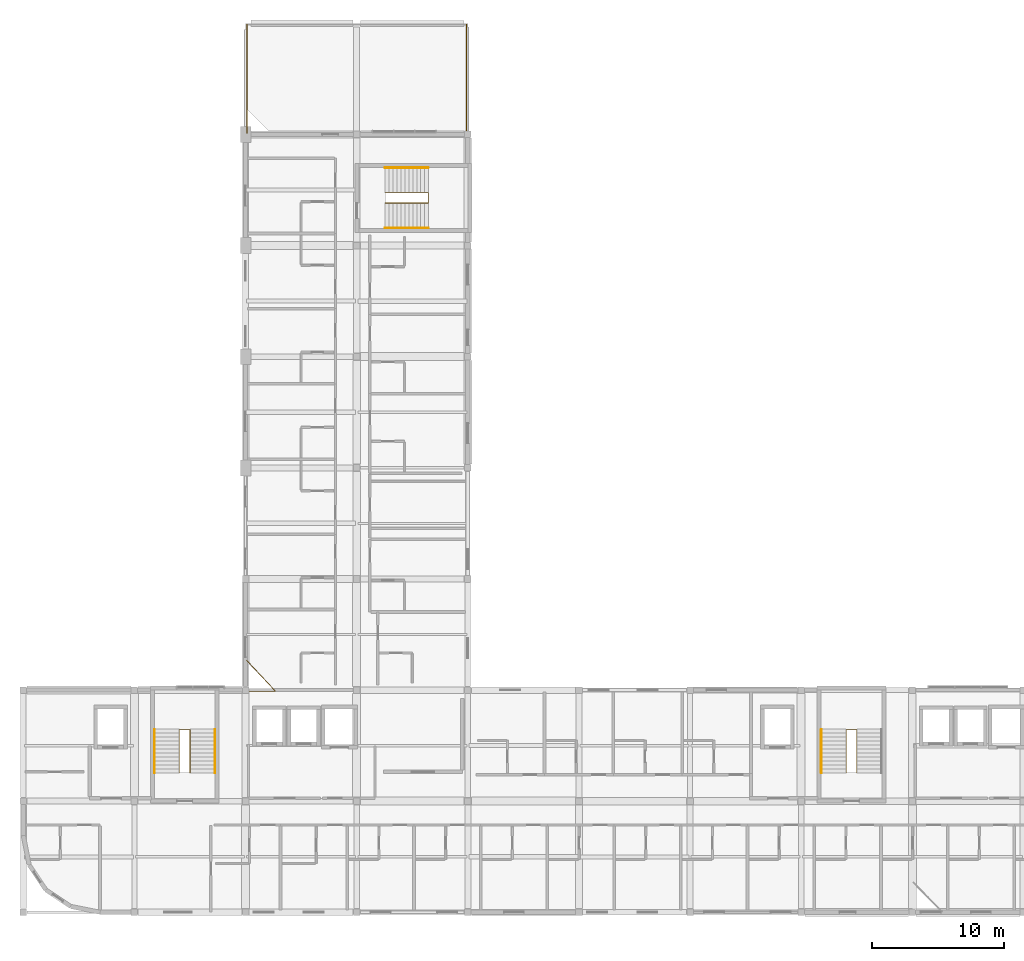
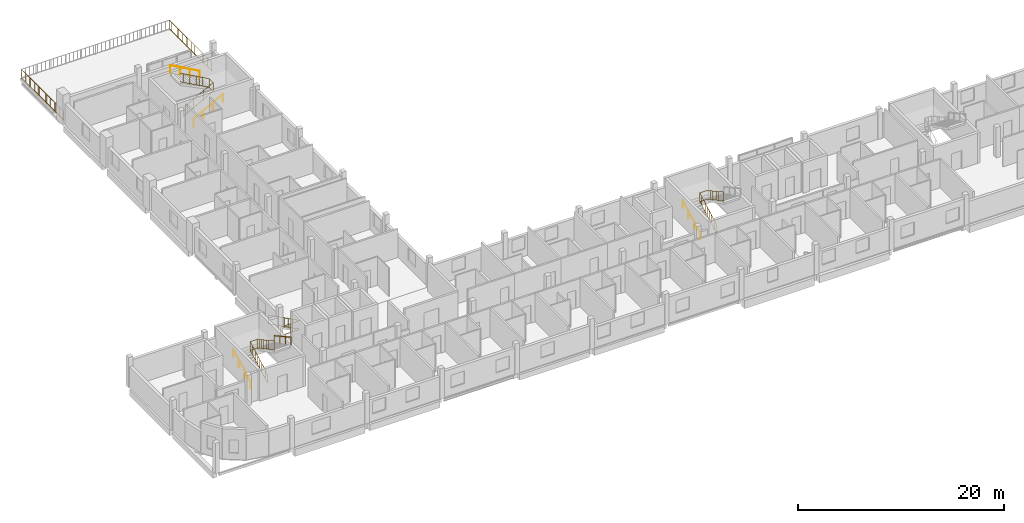
# One storey, part 18 of 20: 11 railings.
"""IFC4 building model written with IfcOpenShell, lengths in metres."""

from ifc_helpers import new_model, si_unit, derived_unit, direction, frame, origin, origin_2d, place, context, subcontext, project, spatial, circle, extrude, material, layer, layer_set, type_object, element, save


model = new_model("IFC4")

# Units and contexts
model_context = context("Model", 3, precision=1e-05, world=origin(), true_north=direction((0.0, 1.0)))
body_context = subcontext(model_context, "Body", "Model", "MODEL_VIEW")
ifc_project = project(units=[si_unit("LENGTHUNIT", "METRE"), si_unit("AREAUNIT", "SQUARE_METRE"), si_unit("VOLUMEUNIT", "CUBIC_METRE"), si_unit("PLANEANGLEUNIT", "RADIAN"), si_unit("MASSUNIT", "GRAM", prefix="KILO"), derived_unit("THERMALTRANSMITTANCEUNIT", [(si_unit("POWERUNIT", "WATT"), 1), (si_unit("LENGTHUNIT", "METRE"), -2), (si_unit("THERMODYNAMICTEMPERATUREUNIT", "KELVIN"), -1)])], contexts=[model_context])

# Site, building, storey
site_placement = place(None, origin())
site = spatial("IfcSite", under=ifc_project, at=site_placement, CompositionType="ELEMENT")
building_placement = place(site_placement, origin())
building = spatial("IfcBuilding", under=site, at=building_placement, Name="Barrovel Congress Hotel", CompositionType="ELEMENT")
storey_placement = place(building_placement, frame((0.0, 0.0, 39.89990234375)))
storey = spatial("IfcBuildingStorey", under=building, at=storey_placement, Name="L10", CompositionType="ELEMENT", Elevation=39.89990234375)

# Railings
ifc_material_1 = material(Name="Painted Architectural Steel", Category="steel")
ifc_layer_1 = layer(ifc_material_1, 0.080078125)
ifc_layer_set_1 = layer_set([ifc_layer_1], Name="Painted Architectural Steel")
railing_type_1 = type_object("IfcRailingType", Name="RAIL-GUARD-EXT", PredefinedType="BALUSTRADE", material=ifc_layer_set_1)
railing_1_placement = place(storey_placement, frame((50.300048828125, 63.10009765625, 0.0)))
element("IfcRailing", 1, at=railing_1_placement, inside=storey, type_object=railing_type_1, Name="L10 North Terrace Guardrail 1", PredefinedType="BALUSTRADE", context=body_context, shape_type="SweptSolid", body=[
    extrude(circle(Radius=0.02392578125, at=origin_2d()), frame((0.0, 0.0, 1.11572265625), z_axis=(0.0, 1.0, 0.0), x_axis=(-1.0, 0.0, 0.0)), (0.0, 0.0, 1.0), 8.199951171875),
    extrude(circle(Radius=0.02392578125, at=origin_2d()), frame((0.0, 0.0, 0.10009765625), z_axis=(0.0, 1.0, 0.0), x_axis=(-1.0, 0.0, 0.0)), (0.0, 0.0, 1.0), 8.199951171875),
    extrude(circle(Radius=0.010009765625, at=origin_2d()), frame((0.0, 0.431640625, 0.10009765625)), (0.0, 0.0, 1.0), 0.99169921875),
    extrude(circle(Radius=0.010009765625, at=origin_2d()), frame((0.0, 0.863037109375, 0.10009765625)), (0.0, 0.0, 1.0), 0.99169921875),
    extrude(circle(Radius=0.010009765625, at=origin_2d()), frame((0.0, 1.294677734375, 0.10009765625)), (0.0, 0.0, 1.0), 0.99169921875),
    extrude(circle(Radius=0.010009765625, at=origin_2d()), frame((0.0, 1.726318359375, 0.10009765625)), (0.0, 0.0, 1.0), 0.99169921875),
    extrude(circle(Radius=0.010009765625, at=origin_2d()), frame((0.0, 2.157958984375, 0.10009765625)), (0.0, 0.0, 1.0), 0.99169921875),
    extrude(circle(Radius=0.010009765625, at=origin_2d()), frame((0.0, 2.58935546875, 0.10009765625)), (0.0, 0.0, 1.0), 0.99169921875),
    extrude(circle(Radius=0.010009765625, at=origin_2d()), frame((0.0, 3.02099609375, 0.10009765625)), (0.0, 0.0, 1.0), 0.99169921875),
    extrude(circle(Radius=0.010009765625, at=origin_2d()), frame((0.0, 3.45263671875, 0.10009765625)), (0.0, 0.0, 1.0), 0.99169921875),
    extrude(circle(Radius=0.010009765625, at=origin_2d()), frame((0.0, 3.88427734375, 0.10009765625)), (0.0, 0.0, 1.0), 0.99169921875),
    extrude(circle(Radius=0.010009765625, at=origin_2d()), frame((0.0, 4.315673828125, 0.10009765625)), (0.0, 0.0, 1.0), 0.99169921875),
    extrude(circle(Radius=0.010009765625, at=origin_2d()), frame((0.0, 4.747314453125, 0.10009765625)), (0.0, 0.0, 1.0), 0.99169921875),
    extrude(circle(Radius=0.010009765625, at=origin_2d()), frame((0.0, 5.178955078125, 0.10009765625)), (0.0, 0.0, 1.0), 0.99169921875),
    extrude(circle(Radius=0.010009765625, at=origin_2d()), frame((0.0, 5.610595703125, 0.10009765625)), (0.0, 0.0, 1.0), 0.99169921875),
    extrude(circle(Radius=0.010009765625, at=origin_2d()), frame((0.0, 6.0419921875, 0.10009765625)), (0.0, 0.0, 1.0), 0.99169921875),
    extrude(circle(Radius=0.010009765625, at=origin_2d()), frame((0.0, 6.4736328125, 0.10009765625)), (0.0, 0.0, 1.0), 0.99169921875),
    extrude(circle(Radius=0.010009765625, at=origin_2d()), frame((0.0, 6.9052734375, 0.10009765625)), (0.0, 0.0, 1.0), 0.99169921875),
    extrude(circle(Radius=0.010009765625, at=origin_2d()), frame((0.0, 7.3369140625, 0.10009765625)), (0.0, 0.0, 1.0), 0.99169921875),
    extrude(circle(Radius=0.010009765625, at=origin_2d()), frame((0.0, 7.768310546875, 0.10009765625)), (0.0, 0.0, 1.0), 0.99169921875),
    extrude(circle(Radius=0.02099609375, at=origin_2d()), origin(), (0.0, 0.0, 1.0), 1.091796875),
    extrude(circle(Radius=0.02099609375, at=origin_2d()), frame((0.0, 1.639892578125, 0.0)), (0.0, 0.0, 1.0), 1.091796875),
    extrude(circle(Radius=0.02099609375, at=origin_2d()), frame((0.0, 3.280029296875, 0.0)), (0.0, 0.0, 1.0), 1.091796875),
    extrude(circle(Radius=0.02099609375, at=origin_2d()), frame((0.0, 4.919921875, 0.0)), (0.0, 0.0, 1.0), 1.091796875),
    extrude(circle(Radius=0.02099609375, at=origin_2d()), frame((0.0, 6.56005859375, 0.0)), (0.0, 0.0, 1.0), 1.091796875),
    extrude(circle(Radius=0.02099609375, at=origin_2d()), frame((0.0, 8.199951171875, 0.0)), (0.0, 0.0, 1.0), 1.091796875),
])
railing_2_placement = place(storey_placement, frame((33.699951171875, 71.300048828125, 0.0)))
element("IfcRailing", 2, at=railing_2_placement, inside=storey, type_object=railing_type_1, Name="L10 North Terrace Guardrail 3", PredefinedType="BALUSTRADE", context=body_context, shape_type="SweptSolid", body=[
    extrude(circle(Radius=0.02392578125, at=origin_2d()), frame((0.0, 0.0, 1.11572265625), z_axis=(0.0, -1.0, 0.0), x_axis=(1.0, 0.0, 0.0)), (0.0, 0.0, 1.0), 8.199951171875),
    extrude(circle(Radius=0.02392578125, at=origin_2d()), frame((0.0, 0.0, 0.10009765625), z_axis=(0.0, -1.0, 0.0), x_axis=(1.0, 0.0, 0.0)), (0.0, 0.0, 1.0), 8.199951171875),
    extrude(circle(Radius=0.010009765625, at=origin_2d()), frame((0.0, -0.431640625, 0.10009765625)), (0.0, 0.0, 1.0), 0.99169921875),
    extrude(circle(Radius=0.010009765625, at=origin_2d()), frame((0.0, -0.863037109375, 0.10009765625)), (0.0, 0.0, 1.0), 0.99169921875),
    extrude(circle(Radius=0.010009765625, at=origin_2d()), frame((0.0, -1.294677734375, 0.10009765625)), (0.0, 0.0, 1.0), 0.99169921875),
    extrude(circle(Radius=0.010009765625, at=origin_2d()), frame((0.0, -1.726318359375, 0.10009765625)), (0.0, 0.0, 1.0), 0.99169921875),
    extrude(circle(Radius=0.010009765625, at=origin_2d()), frame((0.0, -2.157958984375, 0.10009765625)), (0.0, 0.0, 1.0), 0.99169921875),
    extrude(circle(Radius=0.010009765625, at=origin_2d()), frame((0.0, -2.58935546875, 0.10009765625)), (0.0, 0.0, 1.0), 0.99169921875),
    extrude(circle(Radius=0.010009765625, at=origin_2d()), frame((0.0, -3.02099609375, 0.10009765625)), (0.0, 0.0, 1.0), 0.99169921875),
    extrude(circle(Radius=0.010009765625, at=origin_2d()), frame((0.0, -3.45263671875, 0.10009765625)), (0.0, 0.0, 1.0), 0.99169921875),
    extrude(circle(Radius=0.010009765625, at=origin_2d()), frame((0.0, -3.88427734375, 0.10009765625)), (0.0, 0.0, 1.0), 0.99169921875),
    extrude(circle(Radius=0.010009765625, at=origin_2d()), frame((0.0, -4.315673828125, 0.10009765625)), (0.0, 0.0, 1.0), 0.99169921875),
    extrude(circle(Radius=0.010009765625, at=origin_2d()), frame((0.0, -4.747314453125, 0.10009765625)), (0.0, 0.0, 1.0), 0.99169921875),
    extrude(circle(Radius=0.010009765625, at=origin_2d()), frame((0.0, -5.178955078125, 0.10009765625)), (0.0, 0.0, 1.0), 0.99169921875),
    extrude(circle(Radius=0.010009765625, at=origin_2d()), frame((0.0, -5.610595703125, 0.10009765625)), (0.0, 0.0, 1.0), 0.99169921875),
    extrude(circle(Radius=0.010009765625, at=origin_2d()), frame((0.0, -6.0419921875, 0.10009765625)), (0.0, 0.0, 1.0), 0.99169921875),
    extrude(circle(Radius=0.010009765625, at=origin_2d()), frame((0.0, -6.4736328125, 0.10009765625)), (0.0, 0.0, 1.0), 0.99169921875),
    extrude(circle(Radius=0.010009765625, at=origin_2d()), frame((0.0, -6.9052734375, 0.10009765625)), (0.0, 0.0, 1.0), 0.99169921875),
    extrude(circle(Radius=0.010009765625, at=origin_2d()), frame((0.0, -7.3369140625, 0.10009765625)), (0.0, 0.0, 1.0), 0.99169921875),
    extrude(circle(Radius=0.010009765625, at=origin_2d()), frame((0.0, -7.768310546875, 0.10009765625)), (0.0, 0.0, 1.0), 0.99169921875),
    extrude(circle(Radius=0.02099609375, at=origin_2d()), origin(), (0.0, 0.0, 1.0), 1.091796875),
    extrude(circle(Radius=0.02099609375, at=origin_2d()), frame((0.0, -1.639892578125, 0.0)), (0.0, 0.0, 1.0), 1.091796875),
    extrude(circle(Radius=0.02099609375, at=origin_2d()), frame((0.0, -3.280029296875, 0.0)), (0.0, 0.0, 1.0), 1.091796875),
    extrude(circle(Radius=0.02099609375, at=origin_2d()), frame((0.0, -4.919921875, 0.0)), (0.0, 0.0, 1.0), 1.091796875),
    extrude(circle(Radius=0.02099609375, at=origin_2d()), frame((0.0, -6.56005859375, 0.0)), (0.0, 0.0, 1.0), 1.091796875),
    extrude(circle(Radius=0.02099609375, at=origin_2d()), frame((0.0, -8.199951171875, 0.0)), (0.0, 0.0, 1.0), 1.091796875),
])
ifc_layer_2 = layer(ifc_material_1, 0.070068359375)
ifc_layer_set_2 = layer_set([ifc_layer_2], Name="Painted Architectural Steel")
railing_type_2 = type_object("IfcRailingType", Name="RAIL-GUARD-INT", PredefinedType="BALUSTRADE", material=ifc_layer_set_2)
railing_3_placement = place(storey_placement, frame((28.60009765625, 14.739990234375, 0.0)))
element("IfcRailing", 3, at=railing_3_placement, inside=storey, type_object=railing_type_2, Name="STAIR:XS-01:L10:GR-W", PredefinedType="BALUSTRADE", context=body_context, shape_type="SweptSolid", body=[
    extrude(circle(Radius=0.02392578125, at=origin_2d()), frame((0.0, 0.0, 1.11572265625), z_axis=(0.0, 0.876041855244, 0.482235075311), x_axis=(-1.0, 0.0, 0.0)), (0.0, 0.0, 1.0), 3.732666015625),
    extrude(circle(Radius=0.02392578125, at=origin_2d()), frame((0.0, 0.0, 0.10009765625), z_axis=(0.0, 0.876041855244, 0.482235075311), x_axis=(-1.0, 0.0, 0.0)), (0.0, 0.0, 1.0), 3.732666015625),
    extrude(circle(Radius=0.010009765625, at=origin_2d()), frame((0.0, 0.36328125, 0.300048828125)), (0.0, 0.0, 1.0), 0.99169921875),
    extrude(circle(Radius=0.010009765625, at=origin_2d()), frame((0.0, 0.7265625, 0.5)), (0.0, 0.0, 1.0), 0.99169921875),
    extrude(circle(Radius=0.010009765625, at=origin_2d()), frame((0.0, 1.090087890625, 0.699951171875)), (0.0, 0.0, 1.0), 0.99169921875),
    extrude(circle(Radius=0.010009765625, at=origin_2d()), frame((0.0, 1.453369140625, 0.89990234375)), (0.0, 0.0, 1.0), 0.99169921875),
    extrude(circle(Radius=0.010009765625, at=origin_2d()), frame((0.0, 1.816650390625, 1.10009765625)), (0.0, 0.0, 1.0), 0.99169921875),
    extrude(circle(Radius=0.010009765625, at=origin_2d()), frame((0.0, 2.179931640625, 1.300048828125)), (0.0, 0.0, 1.0), 0.99169921875),
    extrude(circle(Radius=0.010009765625, at=origin_2d()), frame((0.0, 2.54345703125, 1.5)), (0.0, 0.0, 1.0), 0.99169921875),
    extrude(circle(Radius=0.010009765625, at=origin_2d()), frame((0.0, 2.90673828125, 1.699951171875)), (0.0, 0.0, 1.0), 0.99169921875),
    extrude(circle(Radius=0.02392578125, at=origin_2d()), frame((0.0, 3.27001953125, 2.916015625), z_axis=(1.0, 0.0, 0.0), x_axis=(0.0, 1.0, 0.0)), (0.0, 0.0, 1.0), 0.7998046875),
    extrude(circle(Radius=0.02392578125, at=origin_2d()), frame((0.0, 3.27001953125, 1.900146484375), z_axis=(1.0, 0.0, 0.0), x_axis=(0.0, 1.0, 0.0)), (0.0, 0.0, 1.0), 0.7998046875),
    extrude(circle(Radius=0.010009765625, at=origin_2d()), frame((0.39990234375, 3.27001953125, 1.900146484375)), (0.0, 0.0, 1.0), 0.99169921875),
    extrude(circle(Radius=0.02392578125, at=origin_2d()), frame((0.7998046875, 3.27001953125, 2.916015625), z_axis=(0.0, -0.876041855244, 0.482235075311), x_axis=(1.0, 0.0, 0.0)), (0.0, 0.0, 1.0), 3.732666015625),
    extrude(circle(Radius=0.02392578125, at=origin_2d()), frame((0.7998046875, 3.27001953125, 1.900146484375), z_axis=(0.0, -0.876041855244, 0.482235075311), x_axis=(1.0, 0.0, 0.0)), (0.0, 0.0, 1.0), 3.732666015625),
    extrude(circle(Radius=0.010009765625, at=origin_2d()), frame((0.7998046875, 2.90673828125, 2.10009765625)), (0.0, 0.0, 1.0), 0.99169921875),
    extrude(circle(Radius=0.010009765625, at=origin_2d()), frame((0.7998046875, 2.54345703125, 2.300048828125)), (0.0, 0.0, 1.0), 0.99169921875),
    extrude(circle(Radius=0.010009765625, at=origin_2d()), frame((0.7998046875, 2.179931640625, 2.5)), (0.0, 0.0, 1.0), 0.99169921875),
    extrude(circle(Radius=0.010009765625, at=origin_2d()), frame((0.7998046875, 1.816650390625, 2.699951171875)), (0.0, 0.0, 1.0), 0.99169921875),
    extrude(circle(Radius=0.010009765625, at=origin_2d()), frame((0.7998046875, 1.453369140625, 2.900146484375)), (0.0, 0.0, 1.0), 0.99169921875),
    extrude(circle(Radius=0.010009765625, at=origin_2d()), frame((0.7998046875, 1.090087890625, 3.10009765625)), (0.0, 0.0, 1.0), 0.99169921875),
    extrude(circle(Radius=0.010009765625, at=origin_2d()), frame((0.7998046875, 0.7265625, 3.300048828125)), (0.0, 0.0, 1.0), 0.99169921875),
    extrude(circle(Radius=0.010009765625, at=origin_2d()), frame((0.7998046875, 0.36328125, 3.5)), (0.0, 0.0, 1.0), 0.99169921875),
    extrude(circle(Radius=0.02099609375, at=origin_2d()), origin(), (0.0, 0.0, 1.0), 1.091796875),
    extrude(circle(Radius=0.02099609375, at=origin_2d()), frame((0.0, 1.090087890625, 0.60009765625)), (0.0, 0.0, 1.0), 1.091796875),
    extrude(circle(Radius=0.02099609375, at=origin_2d()), frame((0.0, 2.179931640625, 1.199951171875)), (0.0, 0.0, 1.0), 1.091796875),
    extrude(circle(Radius=0.02099609375, at=origin_2d()), frame((0.0, 3.27001953125, 1.800048828125)), (0.0, 0.0, 1.0), 1.091796875),
    extrude(circle(Radius=0.02099609375, at=origin_2d()), frame((0.7998046875, 3.27001953125, 1.800048828125)), (0.0, 0.0, 1.0), 1.091796875),
    extrude(circle(Radius=0.02099609375, at=origin_2d()), frame((0.7998046875, 2.179931640625, 2.400146484375)), (0.0, 0.0, 1.0), 1.091796875),
    extrude(circle(Radius=0.02099609375, at=origin_2d()), frame((0.7998046875, 1.090087890625, 3.0)), (0.0, 0.0, 1.0), 1.091796875),
    extrude(circle(Radius=0.02099609375, at=origin_2d()), frame((0.7998046875, 0.0, 3.60009765625)), (0.0, 0.0, 1.0), 1.091796875),
])
railing_4_placement = place(storey_placement, frame((79.0, 14.739990234375, 0.0)))
element("IfcRailing", 4, at=railing_4_placement, inside=storey, type_object=railing_type_2, Name="STAIR:XS-02:L10:GR-W", PredefinedType="BALUSTRADE", context=body_context, shape_type="SweptSolid", body=[
    extrude(circle(Radius=0.02392578125, at=origin_2d()), frame((0.0, 0.0, 1.11572265625), z_axis=(0.0, 0.876041855244, 0.482235075311), x_axis=(-1.0, 0.0, 0.0)), (0.0, 0.0, 1.0), 3.732666015625),
    extrude(circle(Radius=0.02392578125, at=origin_2d()), frame((0.0, 0.0, 0.10009765625), z_axis=(0.0, 0.876041855244, 0.482235075311), x_axis=(-1.0, 0.0, 0.0)), (0.0, 0.0, 1.0), 3.732666015625),
    extrude(circle(Radius=0.010009765625, at=origin_2d()), frame((0.0, 0.36328125, 0.300048828125)), (0.0, 0.0, 1.0), 0.99169921875),
    extrude(circle(Radius=0.010009765625, at=origin_2d()), frame((0.0, 0.7265625, 0.5)), (0.0, 0.0, 1.0), 0.99169921875),
    extrude(circle(Radius=0.010009765625, at=origin_2d()), frame((0.0, 1.090087890625, 0.699951171875)), (0.0, 0.0, 1.0), 0.99169921875),
    extrude(circle(Radius=0.010009765625, at=origin_2d()), frame((0.0, 1.453369140625, 0.89990234375)), (0.0, 0.0, 1.0), 0.99169921875),
    extrude(circle(Radius=0.010009765625, at=origin_2d()), frame((0.0, 1.816650390625, 1.10009765625)), (0.0, 0.0, 1.0), 0.99169921875),
    extrude(circle(Radius=0.010009765625, at=origin_2d()), frame((0.0, 2.179931640625, 1.300048828125)), (0.0, 0.0, 1.0), 0.99169921875),
    extrude(circle(Radius=0.010009765625, at=origin_2d()), frame((0.0, 2.54345703125, 1.5)), (0.0, 0.0, 1.0), 0.99169921875),
    extrude(circle(Radius=0.010009765625, at=origin_2d()), frame((0.0, 2.90673828125, 1.699951171875)), (0.0, 0.0, 1.0), 0.99169921875),
    extrude(circle(Radius=0.02392578125, at=origin_2d()), frame((0.0, 3.27001953125, 2.916015625), z_axis=(1.0, 0.0, 0.0), x_axis=(0.0, 1.0, 0.0)), (0.0, 0.0, 1.0), 0.800048828125),
    extrude(circle(Radius=0.02392578125, at=origin_2d()), frame((0.0, 3.27001953125, 1.900146484375), z_axis=(1.0, 0.0, 0.0), x_axis=(0.0, 1.0, 0.0)), (0.0, 0.0, 1.0), 0.800048828125),
    extrude(circle(Radius=0.010009765625, at=origin_2d()), frame((0.39990234375, 3.27001953125, 1.900146484375)), (0.0, 0.0, 1.0), 0.99169921875),
    extrude(circle(Radius=0.02392578125, at=origin_2d()), frame((0.800048828125, 3.27001953125, 2.916015625), z_axis=(0.0, -0.876041855244, 0.482235075311), x_axis=(1.0, 0.0, 0.0)), (0.0, 0.0, 1.0), 3.732666015625),
    extrude(circle(Radius=0.02392578125, at=origin_2d()), frame((0.800048828125, 3.27001953125, 1.900146484375), z_axis=(0.0, -0.876041855244, 0.482235075311), x_axis=(1.0, 0.0, 0.0)), (0.0, 0.0, 1.0), 3.732666015625),
    extrude(circle(Radius=0.010009765625, at=origin_2d()), frame((0.800048828125, 2.90673828125, 2.10009765625)), (0.0, 0.0, 1.0), 0.99169921875),
    extrude(circle(Radius=0.010009765625, at=origin_2d()), frame((0.800048828125, 2.54345703125, 2.300048828125)), (0.0, 0.0, 1.0), 0.99169921875),
    extrude(circle(Radius=0.010009765625, at=origin_2d()), frame((0.800048828125, 2.179931640625, 2.5)), (0.0, 0.0, 1.0), 0.99169921875),
    extrude(circle(Radius=0.010009765625, at=origin_2d()), frame((0.800048828125, 1.816650390625, 2.699951171875)), (0.0, 0.0, 1.0), 0.99169921875),
    extrude(circle(Radius=0.010009765625, at=origin_2d()), frame((0.800048828125, 1.453369140625, 2.900146484375)), (0.0, 0.0, 1.0), 0.99169921875),
    extrude(circle(Radius=0.010009765625, at=origin_2d()), frame((0.800048828125, 1.090087890625, 3.10009765625)), (0.0, 0.0, 1.0), 0.99169921875),
    extrude(circle(Radius=0.010009765625, at=origin_2d()), frame((0.800048828125, 0.7265625, 3.300048828125)), (0.0, 0.0, 1.0), 0.99169921875),
    extrude(circle(Radius=0.010009765625, at=origin_2d()), frame((0.800048828125, 0.36328125, 3.5)), (0.0, 0.0, 1.0), 0.99169921875),
    extrude(circle(Radius=0.02099609375, at=origin_2d()), origin(), (0.0, 0.0, 1.0), 1.091796875),
    extrude(circle(Radius=0.02099609375, at=origin_2d()), frame((0.0, 1.090087890625, 0.60009765625)), (0.0, 0.0, 1.0), 1.091796875),
    extrude(circle(Radius=0.02099609375, at=origin_2d()), frame((0.0, 2.179931640625, 1.199951171875)), (0.0, 0.0, 1.0), 1.091796875),
    extrude(circle(Radius=0.02099609375, at=origin_2d()), frame((0.0, 3.27001953125, 1.800048828125)), (0.0, 0.0, 1.0), 1.091796875),
    extrude(circle(Radius=0.02099609375, at=origin_2d()), frame((0.800048828125, 3.27001953125, 1.800048828125)), (0.0, 0.0, 1.0), 1.091796875),
    extrude(circle(Radius=0.02099609375, at=origin_2d()), frame((0.800048828125, 2.179931640625, 2.400146484375)), (0.0, 0.0, 1.0), 1.091796875),
    extrude(circle(Radius=0.02099609375, at=origin_2d()), frame((0.800048828125, 1.090087890625, 3.0)), (0.0, 0.0, 1.0), 1.091796875),
    extrude(circle(Radius=0.02099609375, at=origin_2d()), frame((0.800048828125, 0.0, 3.60009765625)), (0.0, 0.0, 1.0), 1.091796875),
])
railing_5_placement = place(storey_placement, frame((44.139892578125, 57.820068359375, 0.0)))
element("IfcRailing", 5, at=railing_5_placement, inside=storey, type_object=railing_type_2, Name="STAIR:XS-05:L10:GR-W", PredefinedType="BALUSTRADE", context=body_context, shape_type="SweptSolid", body=[
    extrude(circle(Radius=0.02392578125, at=origin_2d()), frame((0.0, 0.0, 1.11572265625), z_axis=(0.876041855244, 0.0, 0.482235075311), x_axis=(0.0, 1.0, 0.0)), (0.0, 0.0, 1.0), 3.732666015625),
    extrude(circle(Radius=0.02392578125, at=origin_2d()), frame((0.0, 0.0, 0.10009765625), z_axis=(0.876041855244, 0.0, 0.482235075311), x_axis=(0.0, 1.0, 0.0)), (0.0, 0.0, 1.0), 3.732666015625),
    extrude(circle(Radius=0.010009765625, at=origin_2d()), frame((0.36328125, 0.0, 0.300048828125)), (0.0, 0.0, 1.0), 0.99169921875),
    extrude(circle(Radius=0.010009765625, at=origin_2d()), frame((0.7265625, 0.0, 0.5)), (0.0, 0.0, 1.0), 0.99169921875),
    extrude(circle(Radius=0.010009765625, at=origin_2d()), frame((1.090087890625, 0.0, 0.699951171875)), (0.0, 0.0, 1.0), 0.99169921875),
    extrude(circle(Radius=0.010009765625, at=origin_2d()), frame((1.453369140625, 0.0, 0.89990234375)), (0.0, 0.0, 1.0), 0.99169921875),
    extrude(circle(Radius=0.010009765625, at=origin_2d()), frame((1.816650390625, 0.0, 1.10009765625)), (0.0, 0.0, 1.0), 0.99169921875),
    extrude(circle(Radius=0.010009765625, at=origin_2d()), frame((2.179931640625, 0.0, 1.300048828125)), (0.0, 0.0, 1.0), 0.99169921875),
    extrude(circle(Radius=0.010009765625, at=origin_2d()), frame((2.54345703125, 0.0, 1.5)), (0.0, 0.0, 1.0), 0.99169921875),
    extrude(circle(Radius=0.010009765625, at=origin_2d()), frame((2.90673828125, 0.0, 1.699951171875)), (0.0, 0.0, 1.0), 0.99169921875),
    extrude(circle(Radius=0.02392578125, at=origin_2d()), frame((3.27001953125, 0.0, 2.916015625), z_axis=(0.0, 1.0, 0.0), x_axis=(-1.0, 0.0, 0.0)), (0.0, 0.0, 1.0), 0.760009765625),
    extrude(circle(Radius=0.02392578125, at=origin_2d()), frame((3.27001953125, 0.0, 1.900146484375), z_axis=(0.0, 1.0, 0.0), x_axis=(-1.0, 0.0, 0.0)), (0.0, 0.0, 1.0), 0.760009765625),
    extrude(circle(Radius=0.010009765625, at=origin_2d()), frame((3.27001953125, 0.3798828125, 1.900146484375)), (0.0, 0.0, 1.0), 0.99169921875),
    extrude(circle(Radius=0.02392578125, at=origin_2d()), frame((3.27001953125, 0.760009765625, 2.916015625), z_axis=(-0.876041855244, 0.0, 0.482235075311), x_axis=(0.0, -1.0, 0.0)), (0.0, 0.0, 1.0), 3.732666015625),
    extrude(circle(Radius=0.02392578125, at=origin_2d()), frame((3.27001953125, 0.760009765625, 1.900146484375), z_axis=(-0.876041855244, 0.0, 0.482235075311), x_axis=(0.0, -1.0, 0.0)), (0.0, 0.0, 1.0), 3.732666015625),
    extrude(circle(Radius=0.010009765625, at=origin_2d()), frame((2.90673828125, 0.760009765625, 2.10009765625)), (0.0, 0.0, 1.0), 0.99169921875),
    extrude(circle(Radius=0.010009765625, at=origin_2d()), frame((2.54345703125, 0.760009765625, 2.300048828125)), (0.0, 0.0, 1.0), 0.99169921875),
    extrude(circle(Radius=0.010009765625, at=origin_2d()), frame((2.179931640625, 0.760009765625, 2.5)), (0.0, 0.0, 1.0), 0.99169921875),
    extrude(circle(Radius=0.010009765625, at=origin_2d()), frame((1.816650390625, 0.760009765625, 2.699951171875)), (0.0, 0.0, 1.0), 0.99169921875),
    extrude(circle(Radius=0.010009765625, at=origin_2d()), frame((1.453369140625, 0.760009765625, 2.900146484375)), (0.0, 0.0, 1.0), 0.99169921875),
    extrude(circle(Radius=0.010009765625, at=origin_2d()), frame((1.090087890625, 0.760009765625, 3.10009765625)), (0.0, 0.0, 1.0), 0.99169921875),
    extrude(circle(Radius=0.010009765625, at=origin_2d()), frame((0.7265625, 0.760009765625, 3.300048828125)), (0.0, 0.0, 1.0), 0.99169921875),
    extrude(circle(Radius=0.010009765625, at=origin_2d()), frame((0.36328125, 0.760009765625, 3.5)), (0.0, 0.0, 1.0), 0.99169921875),
    extrude(circle(Radius=0.02099609375, at=origin_2d()), origin(), (0.0, 0.0, 1.0), 1.091796875),
    extrude(circle(Radius=0.02099609375, at=origin_2d()), frame((1.090087890625, 0.0, 0.60009765625)), (0.0, 0.0, 1.0), 1.091796875),
    extrude(circle(Radius=0.02099609375, at=origin_2d()), frame((2.179931640625, 0.0, 1.199951171875)), (0.0, 0.0, 1.0), 1.091796875),
    extrude(circle(Radius=0.02099609375, at=origin_2d()), frame((3.27001953125, 0.0, 1.800048828125)), (0.0, 0.0, 1.0), 1.091796875),
    extrude(circle(Radius=0.02099609375, at=origin_2d()), frame((3.27001953125, 0.760009765625, 1.800048828125)), (0.0, 0.0, 1.0), 1.091796875),
    extrude(circle(Radius=0.02099609375, at=origin_2d()), frame((2.179931640625, 0.760009765625, 2.400146484375)), (0.0, 0.0, 1.0), 1.091796875),
    extrude(circle(Radius=0.02099609375, at=origin_2d()), frame((1.090087890625, 0.760009765625, 3.0)), (0.0, 0.0, 1.0), 1.091796875),
    extrude(circle(Radius=0.02099609375, at=origin_2d()), frame((0.0, 0.760009765625, 3.60009765625)), (0.0, 0.0, 1.0), 1.091796875),
])
railing_6_placement = place(storey_placement, frame((33.679931640625, 20.919921875, 0.0)))
element("IfcRailing", 6, at=railing_6_placement, inside=storey, type_object=railing_type_2, Name="RAIL:L10:CG-HW1", PredefinedType="BALUSTRADE", context=body_context, shape_type="SweptSolid", body=[
    extrude(circle(Radius=0.02392578125, at=origin_2d()), frame((0.0, 0.0, 1.11572265625), z_axis=(1.0, 0.0, 0.0), x_axis=(0.0, 1.0, 0.0)), (0.0, 0.0, 1.0), 2.170166015625),
    extrude(circle(Radius=0.02392578125, at=origin_2d()), frame((0.0, 0.0, 0.10009765625), z_axis=(1.0, 0.0, 0.0), x_axis=(0.0, 1.0, 0.0)), (0.0, 0.0, 1.0), 2.170166015625),
    extrude(circle(Radius=0.010009765625, at=origin_2d()), frame((0.43408203125, 0.0, 0.10009765625)), (0.0, 0.0, 1.0), 0.99169921875),
    extrude(circle(Radius=0.010009765625, at=origin_2d()), frame((0.8681640625, 0.0, 0.10009765625)), (0.0, 0.0, 1.0), 0.99169921875),
    extrude(circle(Radius=0.010009765625, at=origin_2d()), frame((1.302001953125, 0.0, 0.10009765625)), (0.0, 0.0, 1.0), 0.99169921875),
    extrude(circle(Radius=0.010009765625, at=origin_2d()), frame((1.736083984375, 0.0, 0.10009765625)), (0.0, 0.0, 1.0), 0.99169921875),
    extrude(circle(Radius=0.02392578125, at=origin_2d()), frame((2.170166015625, 0.0, 1.11572265625), z_axis=(-0.681550229161, 0.731771333909, 0.0), x_axis=(-0.731771333909, -0.681550229161, 0.0)), (0.0, 0.0, 1.0), 3.18408203125),
    extrude(circle(Radius=0.02392578125, at=origin_2d()), frame((2.170166015625, 0.0, 0.10009765625), z_axis=(-0.681550229161, 0.731771333909, 0.0), x_axis=(-0.731771333909, -0.681550229161, 0.0)), (0.0, 0.0, 1.0), 3.18408203125),
    extrude(circle(Radius=0.010009765625, at=origin_2d()), frame((1.89892578125, 0.291259765625, 0.10009765625)), (0.0, 0.0, 1.0), 0.99169921875),
    extrude(circle(Radius=0.010009765625, at=origin_2d()), frame((1.627685546875, 0.58251953125, 0.10009765625)), (0.0, 0.0, 1.0), 0.99169921875),
    extrude(circle(Radius=0.010009765625, at=origin_2d()), frame((1.3564453125, 0.873779296875, 0.10009765625)), (0.0, 0.0, 1.0), 0.99169921875),
    extrude(circle(Radius=0.010009765625, at=origin_2d()), frame((1.0849609375, 1.1650390625, 0.10009765625)), (0.0, 0.0, 1.0), 0.99169921875),
    extrude(circle(Radius=0.010009765625, at=origin_2d()), frame((0.813720703125, 1.456298828125, 0.10009765625)), (0.0, 0.0, 1.0), 0.99169921875),
    extrude(circle(Radius=0.010009765625, at=origin_2d()), frame((0.54248046875, 1.74755859375, 0.10009765625)), (0.0, 0.0, 1.0), 0.99169921875),
    extrude(circle(Radius=0.010009765625, at=origin_2d()), frame((0.271240234375, 2.038818359375, 0.10009765625)), (0.0, 0.0, 1.0), 0.99169921875),
    extrude(circle(Radius=0.02099609375, at=origin_2d()), origin(), (0.0, 0.0, 1.0), 1.091796875),
    extrude(circle(Radius=0.02099609375, at=origin_2d()), frame((1.0849609375, 0.0, 0.0)), (0.0, 0.0, 1.0), 1.091796875),
    extrude(circle(Radius=0.02099609375, at=origin_2d()), frame((2.170166015625, 0.0, 0.0)), (0.0, 0.0, 1.0), 1.091796875),
    extrude(circle(Radius=0.02099609375, at=origin_2d()), frame((1.0849609375, 1.1650390625, 0.0)), (0.0, 0.0, 1.0), 1.091796875),
    extrude(circle(Radius=0.02099609375, at=origin_2d()), frame((0.0, 2.330078125, 0.0)), (0.0, 0.0, 1.0), 1.091796875),
])
ifc_material_2 = material(Name="Brushed Stainless Steel", Category="steel")
ifc_layer_3 = layer(ifc_material_2, 0.050048828125)
ifc_layer_set_3 = layer_set([ifc_layer_3], Name="Brushed Stainless Steel")
railing_type_3 = type_object("IfcRailingType", Name="RAIL-HAND", PredefinedType="HANDRAIL", material=ifc_layer_set_3)
railing_7_placement = place(storey_placement, frame((26.719970703125, 14.739990234375, 0.0)))
element("IfcRailing", 7, at=railing_7_placement, inside=storey, type_object=railing_type_3, Name="STAIR:XS-01:L10:HR-1", PredefinedType="HANDRAIL", context=body_context, shape_type="SweptSolid", body=[
    extrude(circle(Radius=0.02392578125, at=origin_2d()), frame((0.0, 0.0, 0.89599609375), z_axis=(0.0, 0.876041855244, 0.482235075311), x_axis=(-1.0, 0.0, 0.0)), (0.0, 0.0, 1.0), 3.732666015625),
    extrude(circle(Radius=0.02099609375, at=origin_2d()), origin(), (0.0, 0.0, 1.0), 0.871826171875),
    extrude(circle(Radius=0.02099609375, at=origin_2d()), frame((0.0, 1.090087890625, 0.60009765625)), (0.0, 0.0, 1.0), 0.871826171875),
    extrude(circle(Radius=0.02099609375, at=origin_2d()), frame((0.0, 2.179931640625, 1.199951171875)), (0.0, 0.0, 1.0), 0.871826171875),
    extrude(circle(Radius=0.02099609375, at=origin_2d()), frame((0.0, 3.27001953125, 1.800048828125)), (0.0, 0.0, 1.0), 0.871826171875),
])
railing_8_placement = place(storey_placement, frame((31.280029296875, 18.010009765625, 1.800048828125)))
element("IfcRailing", 8, at=railing_8_placement, inside=storey, type_object=railing_type_3, Name="STAIR:XS-01:L10:HR-2", PredefinedType="HANDRAIL", context=body_context, shape_type="SweptSolid", body=[
    extrude(circle(Radius=0.02392578125, at=origin_2d()), frame((0.0, 0.0, 0.89599609375), z_axis=(0.0, -0.876041855244, 0.482235075311), x_axis=(1.0, 0.0, 0.0)), (0.0, 0.0, 1.0), 3.732666015625),
    extrude(circle(Radius=0.02099609375, at=origin_2d()), origin(), (0.0, 0.0, 1.0), 0.871826171875),
    extrude(circle(Radius=0.02099609375, at=origin_2d()), frame((0.0, -1.090087890625, 0.60009765625)), (0.0, 0.0, 1.0), 0.871826171875),
    extrude(circle(Radius=0.02099609375, at=origin_2d()), frame((0.0, -2.179931640625, 1.199951171875)), (0.0, 0.0, 1.0), 0.871826171875),
    extrude(circle(Radius=0.02099609375, at=origin_2d()), frame((0.0, -3.27001953125, 1.800048828125)), (0.0, 0.0, 1.0), 0.871826171875),
])
railing_9_placement = place(storey_placement, frame((77.1201171875, 14.739990234375, 0.0)))
element("IfcRailing", 9, at=railing_9_placement, inside=storey, type_object=railing_type_3, Name="STAIR:XS-02:L10:HR-1", PredefinedType="HANDRAIL", context=body_context, shape_type="SweptSolid", body=[
    extrude(circle(Radius=0.02392578125, at=origin_2d()), frame((0.0, 0.0, 0.89599609375), z_axis=(0.0, 0.876041855244, 0.482235075311), x_axis=(-1.0, 0.0, 0.0)), (0.0, 0.0, 1.0), 3.732666015625),
    extrude(circle(Radius=0.02099609375, at=origin_2d()), origin(), (0.0, 0.0, 1.0), 0.871826171875),
    extrude(circle(Radius=0.02099609375, at=origin_2d()), frame((0.0, 1.090087890625, 0.60009765625)), (0.0, 0.0, 1.0), 0.871826171875),
    extrude(circle(Radius=0.02099609375, at=origin_2d()), frame((0.0, 2.179931640625, 1.199951171875)), (0.0, 0.0, 1.0), 0.871826171875),
    extrude(circle(Radius=0.02099609375, at=origin_2d()), frame((0.0, 3.27001953125, 1.800048828125)), (0.0, 0.0, 1.0), 0.871826171875),
])
railing_10_placement = place(storey_placement, frame((44.139892578125, 55.919921875, 0.0)))
element("IfcRailing", 10, at=railing_10_placement, inside=storey, type_object=railing_type_3, Name="STAIR:XS-05:L10:HR-1", PredefinedType="HANDRAIL", context=body_context, shape_type="SweptSolid", body=[
    extrude(circle(Radius=0.02392578125, at=origin_2d()), frame((0.0, 0.0, 0.89599609375), z_axis=(0.876041855244, 0.0, 0.482235075311), x_axis=(0.0, 1.0, 0.0)), (0.0, 0.0, 1.0), 3.732666015625),
    extrude(circle(Radius=0.02099609375, at=origin_2d()), origin(), (0.0, 0.0, 1.0), 0.871826171875),
    extrude(circle(Radius=0.02099609375, at=origin_2d()), frame((1.090087890625, 0.0, 0.60009765625)), (0.0, 0.0, 1.0), 0.871826171875),
    extrude(circle(Radius=0.02099609375, at=origin_2d()), frame((2.179931640625, 0.0, 1.199951171875)), (0.0, 0.0, 1.0), 0.871826171875),
    extrude(circle(Radius=0.02099609375, at=origin_2d()), frame((3.27001953125, 0.0, 1.800048828125)), (0.0, 0.0, 1.0), 0.871826171875),
])
railing_11_placement = place(storey_placement, frame((47.409912109375, 60.47998046875, 1.800048828125)))
element("IfcRailing", 11, at=railing_11_placement, inside=storey, type_object=railing_type_3, Name="STAIR:XS-05:L10:HR-2", PredefinedType="HANDRAIL", context=body_context, shape_type="SweptSolid", body=[
    extrude(circle(Radius=0.02392578125, at=origin_2d()), frame((0.0, 0.0, 0.89599609375), z_axis=(-0.876041855244, 0.0, 0.482235075311), x_axis=(0.0, -1.0, 0.0)), (0.0, 0.0, 1.0), 3.732666015625),
    extrude(circle(Radius=0.02099609375, at=origin_2d()), origin(), (0.0, 0.0, 1.0), 0.871826171875),
    extrude(circle(Radius=0.02099609375, at=origin_2d()), frame((-1.090087890625, 0.0, 0.60009765625)), (0.0, 0.0, 1.0), 0.871826171875),
    extrude(circle(Radius=0.02099609375, at=origin_2d()), frame((-2.179931640625, 0.0, 1.199951171875)), (0.0, 0.0, 1.0), 0.871826171875),
    extrude(circle(Radius=0.02099609375, at=origin_2d()), frame((-3.27001953125, 0.0, 1.800048828125)), (0.0, 0.0, 1.0), 0.871826171875),
])

save(model, "model.ifc")
